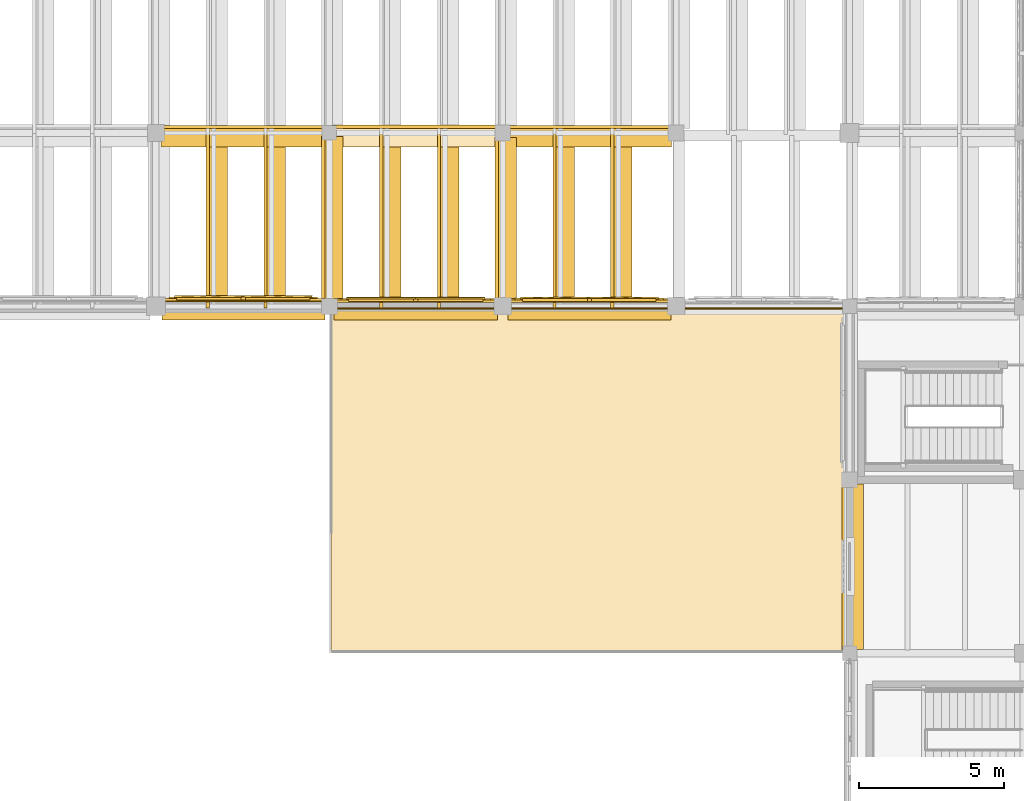
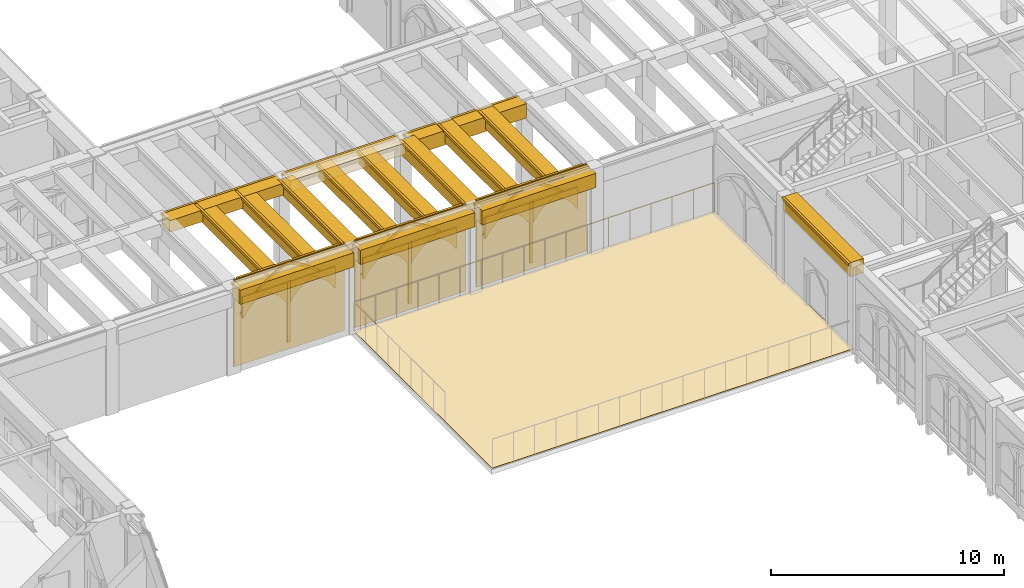
# One storey, part 101 of 127: 49 coverings, 1 railing.
"""IFC4 building model written with IfcOpenShell, lengths in metres."""

from ifc_helpers import new_model, si_unit, direction, frame, origin, origin_2d, place, context, subcontext, project, spatial, polyline, rectangle, circle, outline, extrude, material, type_object, element, save


model = new_model("IFC4")

# Units and contexts
model_context = context("Model", 3, precision=1e-05, world=origin(), true_north=direction((0.0, 1.0)))
body_context = subcontext(model_context, "Body", "Model", "MODEL_VIEW")
ifc_project = project(units=[si_unit("LENGTHUNIT", "METRE"), si_unit("AREAUNIT", "SQUARE_METRE"), si_unit("VOLUMEUNIT", "CUBIC_METRE"), si_unit("PLANEANGLEUNIT", "RADIAN"), si_unit("MASSUNIT", "GRAM", prefix="KILO")], contexts=[model_context])

# Site, building, storey
site_placement = place(None, origin())
site = spatial("IfcSite", under=ifc_project, at=site_placement, CompositionType="ELEMENT")
building_placement = place(site_placement, origin())
building = spatial("IfcBuilding", under=site, at=building_placement, Name="Cumevento Cable Car Station", CompositionType="ELEMENT")
storey_placement = place(building_placement, frame((0.0, 0.0, 4.5)))
storey = spatial("IfcBuildingStorey", under=building, at=storey_placement, Name="L02", CompositionType="ELEMENT", Elevation=4.5)

# Railing
ifc_material_1 = material(Name="Painted Galvanised Architectural Steel", Category="steel")
railing_type = type_object("IfcRailingType", Name="Terrace Guardrail GR-T155 1550", PredefinedType="GUARDRAIL", material=ifc_material_1)
railing_placement = place(storey_placement, frame((40.080078125, 44.919921875, 0.0)))
element("IfcRailing", 1, at=railing_placement, inside=storey, type_object=railing_type, Name="Panoramic Terrace Guardrail GR-T155 #11", PredefinedType="GUARDRAIL", context=body_context, shape_type="SweptSolid", body=[
    extrude(circle(Radius=0.02685546875, at=origin_2d()), frame((0.0, 0.0, 1.52294921875), z_axis=(1.0, 0.0, 0.0), x_axis=(0.0, 1.0, 0.0)), (0.0, 0.0, 1.0), 17.83984375),
    extrude(circle(Radius=0.02099609375, at=origin_2d()), origin(), (0.0, 0.0, 1.0), 1.49609375),
    extrude(circle(Radius=0.02099609375, at=origin_2d()), frame((1.04931640625, 0.0, 0.0)), (0.0, 0.0, 1.0), 1.49609375),
    extrude(circle(Radius=0.02099609375, at=origin_2d()), frame((2.098876953125, 0.0, 0.0)), (0.0, 0.0, 1.0), 1.49609375),
    extrude(circle(Radius=0.02099609375, at=origin_2d()), frame((3.148193359375, 0.0, 0.0)), (0.0, 0.0, 1.0), 1.49609375),
    extrude(circle(Radius=0.02099609375, at=origin_2d()), frame((4.197509765625, 0.0, 0.0)), (0.0, 0.0, 1.0), 1.49609375),
    extrude(circle(Radius=0.02099609375, at=origin_2d()), frame((5.2470703125, 0.0, 0.0)), (0.0, 0.0, 1.0), 1.49609375),
    extrude(circle(Radius=0.02099609375, at=origin_2d()), frame((6.29638671875, 0.0, 0.0)), (0.0, 0.0, 1.0), 1.49609375),
    extrude(circle(Radius=0.02099609375, at=origin_2d()), frame((7.345703125, 0.0, 0.0)), (0.0, 0.0, 1.0), 1.49609375),
    extrude(circle(Radius=0.02099609375, at=origin_2d()), frame((8.395263671875, 0.0, 0.0)), (0.0, 0.0, 1.0), 1.49609375),
    extrude(circle(Radius=0.02099609375, at=origin_2d()), frame((9.444580078125, 0.0, 0.0)), (0.0, 0.0, 1.0), 1.49609375),
    extrude(circle(Radius=0.02099609375, at=origin_2d()), frame((10.494140625, 0.0, 0.0)), (0.0, 0.0, 1.0), 1.49609375),
    extrude(circle(Radius=0.02099609375, at=origin_2d()), frame((11.54345703125, 0.0, 0.0)), (0.0, 0.0, 1.0), 1.49609375),
    extrude(circle(Radius=0.02099609375, at=origin_2d()), frame((12.5927734375, 0.0, 0.0)), (0.0, 0.0, 1.0), 1.49609375),
    extrude(circle(Radius=0.02099609375, at=origin_2d()), frame((13.642333984375, 0.0, 0.0)), (0.0, 0.0, 1.0), 1.49609375),
    extrude(circle(Radius=0.02099609375, at=origin_2d()), frame((14.691650390625, 0.0, 0.0)), (0.0, 0.0, 1.0), 1.49609375),
    extrude(circle(Radius=0.02099609375, at=origin_2d()), frame((15.740966796875, 0.0, 0.0)), (0.0, 0.0, 1.0), 1.49609375),
    extrude(circle(Radius=0.02099609375, at=origin_2d()), frame((16.79052734375, 0.0, 0.0)), (0.0, 0.0, 1.0), 1.49609375),
    extrude(circle(Radius=0.02099609375, at=origin_2d()), frame((17.83984375, 0.0, 0.0)), (0.0, 0.0, 1.0), 1.49609375),
])

# Coverings
ifc_material_2 = material(Name="Gnaisse Facoidal Stone Ashlar 85 MPa", Category="masonry")
covering_type = type_object("IfcCoveringType", Name="Gnaisse Ashlar Cladding CV-CL01", PredefinedType="CLADDING", material=ifc_material_2)
covering_1_placement = place(storey_placement, frame((58.14990234375, 35.987548828125, 3.760986328125), z_axis=(0.0, 0.0, 1.0), x_axis=(0.0, 1.0, 0.0)))
element("IfcCovering", 2, at=covering_1_placement, inside=storey, type_object=covering_type, Name="Gothic Stone Spandrel Stringcourse sc:0323", PredefinedType="CLADDING", context=body_context, shape_type="SweptSolid", body=[
    extrude(rectangle(XDim=5.715087890625, YDim=0.659912109375, at=origin_2d()), origin(), (0.0, 0.0, 1.0), 0.7470703125),
])
covering_2_placement = place(storey_placement, frame((57.79248046875, 35.987548828125, 4.378173828125), z_axis=(0.0, 0.0, 1.0), x_axis=(0.0, 1.0, 0.0)))
element("IfcCovering", 3, at=covering_2_placement, inside=storey, type_object=covering_type, Name="Gothic Cornice Dripstone Lip sc:0323", PredefinedType="CLADDING", context=body_context, shape_type="SweptSolid", body=[
    extrude(rectangle(XDim=5.7548828125, YDim=0.114990234375, at=origin_2d()), origin(), (0.0, 0.0, 1.0), 0.1298828125),
])
covering_3_placement = place(storey_placement, frame((37.02490234375, 44.85009765625, 3.682861328125), z_axis=(0.0, 0.0, 1.0), x_axis=(1.0, 0.0, 0.0)))
element("IfcCovering", 4, at=covering_3_placement, inside=storey, type_object=covering_type, Name="Gothic Stone Spandrel Stringcourse sc:0352", PredefinedType="CLADDING", context=body_context, shape_type="SweptSolid", body=[
    extrude(rectangle(XDim=5.639892578125, YDim=0.659912109375, at=origin_2d()), origin(), (0.0, 0.0, 1.0), 0.7470703125),
])
covering_4_placement = place(storey_placement, frame((37.02490234375, 45.20751953125, 4.300048828125), z_axis=(0.0, 0.0, 1.0), x_axis=(1.0, 0.0, 0.0)))
element("IfcCovering", 5, at=covering_4_placement, inside=storey, type_object=covering_type, Name="Gothic Cornice Dripstone Lip sc:0352", PredefinedType="CLADDING", context=body_context, shape_type="SweptSolid", body=[
    extrude(rectangle(XDim=5.679931640625, YDim=0.114990234375, at=origin_2d()), origin(), (0.0, 0.0, 1.0), 0.1298828125),
])
covering_5_placement = place(storey_placement, frame((42.987548828125, 44.85009765625, 3.682861328125), z_axis=(0.0, 0.0, 1.0), x_axis=(1.0, 0.0, 0.0)))
element("IfcCovering", 6, at=covering_5_placement, inside=storey, type_object=covering_type, Name="Gothic Stone Spandrel Stringcourse sc:0353", PredefinedType="CLADDING", context=body_context, shape_type="SweptSolid", body=[
    extrude(rectangle(XDim=5.6650390625, YDim=0.659912109375, at=origin_2d()), origin(), (0.0, 0.0, 1.0), 0.7470703125),
])
covering_6_placement = place(storey_placement, frame((42.987548828125, 45.20751953125, 4.300048828125), z_axis=(0.0, 0.0, 1.0), x_axis=(1.0, 0.0, 0.0)))
element("IfcCovering", 7, at=covering_6_placement, inside=storey, type_object=covering_type, Name="Gothic Cornice Dripstone Lip sc:0353", PredefinedType="CLADDING", context=body_context, shape_type="SweptSolid", body=[
    extrude(rectangle(XDim=5.705078125, YDim=0.114990234375, at=origin_2d()), origin(), (0.0, 0.0, 1.0), 0.1298828125),
])
covering_7_placement = place(storey_placement, frame((49.0, 44.85009765625, 3.64306640625), z_axis=(0.0, 0.0, 1.0), x_axis=(1.0, 0.0, 0.0)))
element("IfcCovering", 8, at=covering_7_placement, inside=storey, type_object=covering_type, Name="Gothic Stone Spandrel Stringcourse sc:0354", PredefinedType="CLADDING", context=body_context, shape_type="SweptSolid", body=[
    extrude(rectangle(XDim=5.639892578125, YDim=0.659912109375, at=origin_2d()), origin(), (0.0, 0.0, 1.0), 0.7470703125),
])
covering_8_placement = place(storey_placement, frame((49.0, 45.20751953125, 4.260009765625), z_axis=(0.0, 0.0, 1.0), x_axis=(1.0, 0.0, 0.0)))
element("IfcCovering", 9, at=covering_8_placement, inside=storey, type_object=covering_type, Name="Gothic Cornice Dripstone Lip sc:0354", PredefinedType="CLADDING", context=body_context, shape_type="SweptSolid", body=[
    extrude(rectangle(XDim=5.679931640625, YDim=0.114990234375, at=origin_2d()), origin(), (0.0, 0.0, 1.0), 0.1298828125),
])
covering_9_placement = place(storey_placement, frame((37.02490234375, 50.85009765625, 3.823974609375), z_axis=(0.0, 0.0, 1.0), x_axis=(1.0, 0.0, 0.0)))
element("IfcCovering", 10, at=covering_9_placement, inside=storey, type_object=covering_type, Name="Gothic Stone Spandrel Stringcourse sc:0357", PredefinedType="CLADDING", context=body_context, shape_type="SweptSolid", body=[
    extrude(rectangle(XDim=5.68994140625, YDim=0.659912109375, at=origin_2d()), origin(), (0.0, 0.0, 1.0), 0.60595703125),
])
covering_10_placement = place(storey_placement, frame((37.02490234375, 51.20751953125, 4.300048828125), z_axis=(0.0, 0.0, 1.0), x_axis=(1.0, 0.0, 0.0)))
element("IfcCovering", 11, at=covering_10_placement, inside=storey, type_object=covering_type, Name="Gothic Cornice Dripstone Lip sc:0357", PredefinedType="CLADDING", context=body_context, shape_type="SweptSolid", body=[
    extrude(rectangle(XDim=5.72998046875, YDim=0.114990234375, at=origin_2d()), origin(), (0.0, 0.0, 1.0), 0.1298828125),
])
covering_11_placement = place(storey_placement, frame((42.987548828125, 50.850830078125, 3.837890625), z_axis=(0.0, 0.0, 1.0), x_axis=(1.0, 0.0, 0.0)))
element("IfcCovering", 12, at=covering_11_placement, inside=storey, type_object=covering_type, Name="Gothic Stone Spandrel Stringcourse sc:0358", PredefinedType="CLADDING", context=body_context, shape_type="SweptSolid", body=[
    extrude(rectangle(XDim=5.715087890625, YDim=0.66162109375, at=origin_2d()), origin(), (0.0, 0.0, 1.0), 0.592041015625),
])
covering_12_placement = place(storey_placement, frame((42.987548828125, 51.208984375, 4.300048828125), z_axis=(0.0, 0.0, 1.0), x_axis=(1.0, 0.0, 0.0)))
element("IfcCovering", 13, at=covering_12_placement, inside=storey, type_object=covering_type, Name="Gothic Cornice Dripstone Lip sc:0358", PredefinedType="CLADDING", context=body_context, shape_type="SweptSolid", body=[
    extrude(rectangle(XDim=5.7548828125, YDim=0.114990234375, at=origin_2d()), origin(), (0.0, 0.0, 1.0), 0.1298828125),
])
covering_13_placement = place(storey_placement, frame((49.0, 50.85009765625, 3.636962890625), z_axis=(0.0, 0.0, 1.0), x_axis=(1.0, 0.0, 0.0)))
element("IfcCovering", 14, at=covering_13_placement, inside=storey, type_object=covering_type, Name="Gothic Stone Spandrel Stringcourse sc:0359", PredefinedType="CLADDING", context=body_context, shape_type="SweptSolid", body=[
    extrude(rectangle(XDim=5.68994140625, YDim=0.659912109375, at=origin_2d()), origin(), (0.0, 0.0, 1.0), 0.7529296875),
])
covering_14_placement = place(storey_placement, frame((49.0, 51.20751953125, 4.260009765625), z_axis=(0.0, 0.0, 1.0), x_axis=(1.0, 0.0, 0.0)))
element("IfcCovering", 15, at=covering_14_placement, inside=storey, type_object=covering_type, Name="Gothic Cornice Dripstone Lip sc:0359", PredefinedType="CLADDING", context=body_context, shape_type="SweptSolid", body=[
    extrude(rectangle(XDim=5.72998046875, YDim=0.114990234375, at=origin_2d()), origin(), (0.0, 0.0, 1.0), 0.1298828125),
])
covering_15_placement = place(storey_placement, frame((40.148681640625, 48.012451171875, 3.73583984375), z_axis=(0.0, 0.0, 1.0), x_axis=(0.0, 1.0, 0.0)))
element("IfcCovering", 16, at=covering_15_placement, inside=storey, type_object=covering_type, Name="Gothic Stone Spandrel Stringcourse sc:0371", PredefinedType="CLADDING", context=body_context, shape_type="SweptSolid", body=[
    extrude(rectangle(XDim=5.715087890625, YDim=0.66259765625, at=origin_2d()), origin(), (0.0, 0.0, 1.0), 0.694091796875),
])
covering_16_placement = place(storey_placement, frame((39.7900390625, 48.012451171875, 4.300048828125), z_axis=(0.0, 0.0, 1.0), x_axis=(0.0, 1.0, 0.0)))
element("IfcCovering", 17, at=covering_16_placement, inside=storey, type_object=covering_type, Name="Gothic Cornice Dripstone Lip sc:0371", PredefinedType="CLADDING", context=body_context, shape_type="SweptSolid", body=[
    extrude(rectangle(XDim=5.7548828125, YDim=0.114990234375, at=origin_2d()), origin(), (0.0, 0.0, 1.0), 0.1298828125),
])
covering_17_placement = place(storey_placement, frame((46.14990234375, 48.012451171875, 3.6328125), z_axis=(0.0, 0.0, 1.0), x_axis=(0.0, 1.0, 0.0)))
element("IfcCovering", 18, at=covering_17_placement, inside=storey, type_object=covering_type, Name="Gothic Stone Spandrel Stringcourse sc:0373", PredefinedType="CLADDING", context=body_context, shape_type="SweptSolid", body=[
    extrude(rectangle(XDim=5.6650390625, YDim=0.659912109375, at=origin_2d()), origin(), (0.0, 0.0, 1.0), 0.797119140625),
])
covering_18_placement = place(storey_placement, frame((45.79248046875, 48.012451171875, 4.300048828125), z_axis=(0.0, 0.0, 1.0), x_axis=(0.0, 1.0, 0.0)))
element("IfcCovering", 19, at=covering_18_placement, inside=storey, type_object=covering_type, Name="Gothic Cornice Dripstone Lip sc:0373", PredefinedType="CLADDING", context=body_context, shape_type="SweptSolid", body=[
    extrude(rectangle(XDim=5.705078125, YDim=0.114990234375, at=origin_2d()), origin(), (0.0, 0.0, 1.0), 0.1298828125),
])
covering_19_placement = place(storey_placement, frame((36.14990234375, 48.007568359375, 3.73486328125), z_axis=(0.0, 0.0, 1.0), x_axis=(0.0, 1.0, 0.0)))
element("IfcCovering", 20, at=covering_19_placement, inside=storey, type_object=covering_type, Name="Gothic Stone Spandrel Stringcourse sc:0500", PredefinedType="CLADDING", context=body_context, shape_type="SweptSolid", body=[
    extrude(rectangle(XDim=6.10107421875, YDim=0.659912109375, at=origin_2d()), origin(), (0.0, 0.0, 1.0), 0.695068359375),
])
covering_20_placement = place(storey_placement, frame((35.79248046875, 48.007568359375, 4.300048828125), z_axis=(0.0, 0.0, 1.0), x_axis=(0.0, 1.0, 0.0)))
element("IfcCovering", 21, at=covering_20_placement, inside=storey, type_object=covering_type, Name="Gothic Cornice Dripstone Lip sc:0500", PredefinedType="CLADDING", context=body_context, shape_type="SweptSolid", body=[
    extrude(rectangle(XDim=6.14111328125, YDim=0.114990234375, at=origin_2d()), origin(), (0.0, 0.0, 1.0), 0.1298828125),
])
covering_21_placement = place(storey_placement, frame((38.14990234375, 48.007568359375, 3.73486328125), z_axis=(0.0, 0.0, 1.0), x_axis=(0.0, 1.0, 0.0)))
element("IfcCovering", 22, at=covering_21_placement, inside=storey, type_object=covering_type, Name="Gothic Stone Spandrel Stringcourse sc:0502", PredefinedType="CLADDING", context=body_context, shape_type="SweptSolid", body=[
    extrude(rectangle(XDim=6.10107421875, YDim=0.659912109375, at=origin_2d()), origin(), (0.0, 0.0, 1.0), 0.695068359375),
])
covering_22_placement = place(storey_placement, frame((37.79248046875, 48.007568359375, 4.300048828125), z_axis=(0.0, 0.0, 1.0), x_axis=(0.0, 1.0, 0.0)))
element("IfcCovering", 23, at=covering_22_placement, inside=storey, type_object=covering_type, Name="Gothic Cornice Dripstone Lip sc:0502", PredefinedType="CLADDING", context=body_context, shape_type="SweptSolid", body=[
    extrude(rectangle(XDim=6.14111328125, YDim=0.114990234375, at=origin_2d()), origin(), (0.0, 0.0, 1.0), 0.1298828125),
])
covering_23_placement = place(storey_placement, frame((42.14990234375, 47.99365234375, 3.73486328125), z_axis=(0.0, 0.0, 1.0), x_axis=(0.0, 1.0, 0.0)))
element("IfcCovering", 24, at=covering_23_placement, inside=storey, type_object=covering_type, Name="Gothic Stone Spandrel Stringcourse sc:0504", PredefinedType="CLADDING", context=body_context, shape_type="SweptSolid", body=[
    extrude(rectangle(XDim=6.073486328125, YDim=0.659912109375, at=origin_2d()), origin(), (0.0, 0.0, 1.0), 0.695068359375),
])
covering_24_placement = place(storey_placement, frame((41.79248046875, 47.99365234375, 4.300048828125), z_axis=(0.0, 0.0, 1.0), x_axis=(0.0, 1.0, 0.0)))
element("IfcCovering", 25, at=covering_24_placement, inside=storey, type_object=covering_type, Name="Gothic Cornice Dripstone Lip sc:0504", PredefinedType="CLADDING", context=body_context, shape_type="SweptSolid", body=[
    extrude(rectangle(XDim=6.113525390625, YDim=0.114990234375, at=origin_2d()), origin(), (0.0, 0.0, 1.0), 0.1298828125),
])
covering_25_placement = place(storey_placement, frame((44.14990234375, 47.99365234375, 3.73486328125), z_axis=(0.0, 0.0, 1.0), x_axis=(0.0, 1.0, 0.0)))
element("IfcCovering", 26, at=covering_25_placement, inside=storey, type_object=covering_type, Name="Gothic Stone Spandrel Stringcourse sc:0506", PredefinedType="CLADDING", context=body_context, shape_type="SweptSolid", body=[
    extrude(rectangle(XDim=6.073486328125, YDim=0.659912109375, at=origin_2d()), origin(), (0.0, 0.0, 1.0), 0.695068359375),
])
covering_26_placement = place(storey_placement, frame((43.79248046875, 47.99365234375, 4.300048828125), z_axis=(0.0, 0.0, 1.0), x_axis=(0.0, 1.0, 0.0)))
element("IfcCovering", 27, at=covering_26_placement, inside=storey, type_object=covering_type, Name="Gothic Cornice Dripstone Lip sc:0506", PredefinedType="CLADDING", context=body_context, shape_type="SweptSolid", body=[
    extrude(rectangle(XDim=6.113525390625, YDim=0.114990234375, at=origin_2d()), origin(), (0.0, 0.0, 1.0), 0.1298828125),
])
covering_27_placement = place(storey_placement, frame((48.14990234375, 47.99951171875, 3.73486328125), z_axis=(0.0, 0.0, 1.0), x_axis=(0.0, 1.0, 0.0)))
element("IfcCovering", 28, at=covering_27_placement, inside=storey, type_object=covering_type, Name="Gothic Stone Spandrel Stringcourse sc:0508", PredefinedType="CLADDING", context=body_context, shape_type="SweptSolid", body=[
    extrude(rectangle(XDim=6.0849609375, YDim=0.659912109375, at=origin_2d()), origin(), (0.0, 0.0, 1.0), 0.695068359375),
])
covering_28_placement = place(storey_placement, frame((47.79248046875, 47.99951171875, 4.300048828125), z_axis=(0.0, 0.0, 1.0), x_axis=(0.0, 1.0, 0.0)))
element("IfcCovering", 29, at=covering_28_placement, inside=storey, type_object=covering_type, Name="Gothic Cornice Dripstone Lip sc:0508", PredefinedType="CLADDING", context=body_context, shape_type="SweptSolid", body=[
    extrude(rectangle(XDim=6.125, YDim=0.114990234375, at=origin_2d()), origin(), (0.0, 0.0, 1.0), 0.1298828125),
])
covering_29_placement = place(storey_placement, frame((50.14990234375, 47.99951171875, 3.73486328125), z_axis=(0.0, 0.0, 1.0), x_axis=(0.0, 1.0, 0.0)))
element("IfcCovering", 30, at=covering_29_placement, inside=storey, type_object=covering_type, Name="Gothic Stone Spandrel Stringcourse sc:0510", PredefinedType="CLADDING", context=body_context, shape_type="SweptSolid", body=[
    extrude(rectangle(XDim=6.0849609375, YDim=0.659912109375, at=origin_2d()), origin(), (0.0, 0.0, 1.0), 0.695068359375),
])
covering_30_placement = place(storey_placement, frame((49.79248046875, 47.99951171875, 4.300048828125), z_axis=(0.0, 0.0, 1.0), x_axis=(0.0, 1.0, 0.0)))
element("IfcCovering", 31, at=covering_30_placement, inside=storey, type_object=covering_type, Name="Gothic Cornice Dripstone Lip sc:0510", PredefinedType="CLADDING", context=body_context, shape_type="SweptSolid", body=[
    extrude(rectangle(XDim=6.125, YDim=0.114990234375, at=origin_2d()), origin(), (0.0, 0.0, 1.0), 0.1298828125),
])
covering_31_placement = place(storey_placement, frame((34.324951171875, 45.0, 0.0), z_axis=(0.0, 0.0, 1.0), x_axis=(1.0, 0.0, 0.0)))
element("IfcCovering", 32, at=covering_31_placement, inside=storey, type_object=covering_type, Name="Exterior Gnaisse Stone Wall Ashlar #23", PredefinedType="CLADDING", context=body_context, shape_type="SweptSolid", body=[
    extrude(outline(polyline([(-0.0400390625, -0.02001953125), (5.43994140625, -0.02001953125), (5.43994140625, 4.52001953125), (-0.0400390625, 4.52001953125), (-0.0400390625, -0.02001953125)])), frame((0.0, 0.27490234375, 0.0), z_axis=(0.0, -1.0, 0.0), x_axis=(1.0, 0.0, 0.0)), (0.0, 0.0, 1.0), 0.0849609375),
])
placement_1 = place(storey_placement, frame((34.5048828125, 45.0, 0.300048828125), z_axis=(0.0, 0.0, 1.0), x_axis=(1.0, 0.0, 0.0)))
element("IfcCovering", 33, at=placement_1, inside=storey, type_object=covering_type, Name="Gothic Ogival Pointed-Arch Stone Spandrel blind_ogival:0023", PredefinedType="CLADDING", context=body_context, shape_type="SweptSolid", body=[
    extrude(outline(polyline([(-0.050048828125, 0.0), (-0.050048828125, 4.239990234375), (5.090087890625, 4.239990234375), (5.090087890625, 0.0), (4.780029296875, 0.0), (4.780029296875, 2.219970703125), (4.531982421875, 2.55810546875), (4.255126953125, 2.872802734375), (3.951416015625, 3.161865234375), (3.62353515625, 3.423095703125), (3.273681640625, 3.654296875), (2.905029296875, 3.853759765625), (2.52001953125, 4.02001953125), (2.135009765625, 3.853759765625), (1.766357421875, 3.654296875), (1.41650390625, 3.423095703125), (1.088623046875, 3.161865234375), (0.784912109375, 2.872802734375), (0.508056640625, 2.55810546875), (0.260009765625, 2.219970703125), (0.260009765625, 0.0), (-0.050048828125, 0.0)])), frame((0.0, 0.330078125, 0.0), z_axis=(0.0, -1.0, 0.0), x_axis=(1.0, 0.0, 0.0)), (0.0, 0.0, 1.0), 0.110107421875),
])
covering_33_placement = place(storey_placement, frame((34.5048828125, 45.0, 2.52001953125), z_axis=(0.0, 0.0, 1.0), x_axis=(1.0, 0.0, 0.0)))
element("IfcCovering", 34, at=covering_33_placement, inside=storey, type_object=covering_type, Name="Gothic Pointed Archivolt Hood Moulding blind_ogival:0023", PredefinedType="CLADDING", context=body_context, shape_type="SweptSolid", body=[
    extrude(outline(polyline([(0.260009765625, 0.0), (0.508056640625, 0.338134765625), (0.784912109375, 0.65283203125), (1.088623046875, 0.94189453125), (1.41650390625, 1.203125), (1.766357421875, 1.434326171875), (2.135009765625, 1.6337890625), (2.52001953125, 1.800048828125), (2.905029296875, 1.6337890625), (3.273681640625, 1.434326171875), (3.62353515625, 1.203125), (3.951416015625, 0.94189453125), (4.255126953125, 0.65283203125), (4.531982421875, 0.338134765625), (4.780029296875, 0.0), (4.90087890625, 0.0), (4.6435546875, 0.365478515625), (4.354248046875, 0.706298828125), (4.03564453125, 1.01953125), (3.689697265625, 1.302978515625), (3.31982421875, 1.553955078125), (2.928955078125, 1.770751953125), (2.52001953125, 1.951171875), (2.111083984375, 1.770751953125), (1.72021484375, 1.553955078125), (1.350341796875, 1.302978515625), (1.00439453125, 1.01953125), (0.685791015625, 0.706298828125), (0.396484375, 0.365478515625), (0.138916015625, 0.0), (0.260009765625, 0.0)])), frame((0.0, 0.3720703125, 0.0), z_axis=(0.0, -1.0, 0.0), x_axis=(1.0, 0.0, 0.0)), (0.0, 0.0, 1.0), 0.06689453125),
])
element("IfcCovering", 35, at=placement_1, inside=storey, type_object=covering_type, Name="Gothic Bifora Stone Colonnette blind_ogival:0023 #1", PredefinedType="CLADDING", context=body_context, shape_type="SweptSolid", body=[
    extrude(outline(polyline([(2.445068359375, -0.02001953125), (2.594970703125, -0.02001953125), (2.594970703125, 3.156005859375), (2.445068359375, 3.156005859375), (2.445068359375, -0.02001953125)])), frame((0.0, 0.318115234375, 0.0), z_axis=(0.0, -1.0, 0.0), x_axis=(1.0, 0.0, 0.0)), (0.0, 0.0, 1.0), 0.094970703125),
])
for number, where, z_axis, x_axis, name in (
    (36, (34.735107421875, 45.0, 2.340087890625), (0.0, 0.0, 1.0), (1.0, 0.0, 0.0), "Gothic Ogival Pointed-Arch Stone Spandrel blind_ogival:0023:sub:0"),
    (37, (37.070068359375, 45.0, 2.340087890625), (0.0, 0.0, 1.0), (1.0, 0.0, 0.0), "Gothic Ogival Pointed-Arch Stone Spandrel blind_ogival:0023:sub:1"),
):
    element("IfcCovering", number, at=place(storey_placement, frame(where, z_axis=z_axis, x_axis=x_axis)), inside=storey, type_object=covering_type, Name=name, PredefinedType="CLADDING", context=body_context, shape_type="SweptSolid", body=[
        extrude(outline(polyline([(-0.02001953125, 0.0), (-0.02001953125, 1.115966796875), (2.264892578125, 1.115966796875), (2.264892578125, 0.0), (2.205078125, 0.0), (2.076171875, 0.214111328125), (1.923828125, 0.412109375), (1.75, 0.591552734375), (1.556640625, 0.75), (1.3466796875, 0.88525390625), (1.12255859375, 0.99609375), (0.8984375, 0.88525390625), (0.6884765625, 0.75), (0.4951171875, 0.591552734375), (0.3212890625, 0.412109375), (0.1689453125, 0.214111328125), (0.0400390625, 0.0), (-0.02001953125, 0.0)])), frame((0.0, 0.31396484375, 0.0), z_axis=(0.0, -1.0, 0.0), x_axis=(1.0, 0.0, 0.0)), (0.0, 0.0, 1.0), 0.090087890625),
    ])
covering_35_placement = place(storey_placement, frame((40.27490234375, 45.0, 0.0), z_axis=(0.0, 0.0, 1.0), x_axis=(1.0, 0.0, 0.0)))
element("IfcCovering", 38, at=covering_35_placement, inside=storey, type_object=covering_type, Name="Exterior Gnaisse Stone Wall Ashlar #24", PredefinedType="CLADDING", context=body_context, shape_type="SweptSolid", body=[
    extrude(outline(polyline([(-0.0400390625, -0.02001953125), (5.465087890625, -0.02001953125), (5.465087890625, 4.52001953125), (-0.0400390625, 4.52001953125), (-0.0400390625, -0.02001953125)])), frame((0.0, 0.215087890625, 0.0), z_axis=(0.0, -1.0, 0.0), x_axis=(1.0, 0.0, 0.0)), (0.0, 0.0, 1.0), 0.0849609375),
])
placement_2 = place(storey_placement, frame((40.455078125, 45.0, 0.300048828125), z_axis=(0.0, 0.0, 1.0), x_axis=(1.0, 0.0, 0.0)))
element("IfcCovering", 39, at=placement_2, inside=storey, type_object=covering_type, Name="Gothic Ogival Pointed-Arch Stone Spandrel blind_ogival:0024", PredefinedType="CLADDING", context=body_context, shape_type="SweptSolid", body=[
    extrude(outline(polyline([(-0.050048828125, 0.0), (-0.050048828125, 4.239990234375), (5.114990234375, 4.239990234375), (5.114990234375, 0.0), (4.804931640625, 0.0), (4.804931640625, 2.219970703125), (4.554931640625, 2.55810546875), (4.27587890625, 2.873046875), (3.970458984375, 3.162109375), (3.640625, 3.42333984375), (3.289306640625, 3.654541015625), (2.9189453125, 3.85400390625), (2.532470703125, 4.02001953125), (2.14599609375, 3.85400390625), (1.775634765625, 3.654541015625), (1.42431640625, 3.42333984375), (1.094482421875, 3.162109375), (0.7890625, 2.873046875), (0.510009765625, 2.55810546875), (0.260009765625, 2.219970703125), (0.260009765625, 0.0), (-0.050048828125, 0.0)])), frame((0.0, 0.27001953125, 0.0), z_axis=(0.0, -1.0, 0.0), x_axis=(1.0, 0.0, 0.0)), (0.0, 0.0, 1.0), 0.110107421875),
])
covering_37_placement = place(storey_placement, frame((40.455078125, 45.0, 2.52001953125), z_axis=(0.0, 0.0, 1.0), x_axis=(1.0, 0.0, 0.0)))
element("IfcCovering", 40, at=covering_37_placement, inside=storey, type_object=covering_type, Name="Gothic Pointed Archivolt Hood Moulding blind_ogival:0024", PredefinedType="CLADDING", context=body_context, shape_type="SweptSolid", body=[
    extrude(outline(polyline([(0.260009765625, 0.0), (0.510009765625, 0.338134765625), (0.7890625, 0.653076171875), (1.094482421875, 0.942138671875), (1.42431640625, 1.203369140625), (1.775634765625, 1.4345703125), (2.14599609375, 1.634033203125), (2.532470703125, 1.800048828125), (2.9189453125, 1.634033203125), (3.289306640625, 1.4345703125), (3.640625, 1.203369140625), (3.970458984375, 0.942138671875), (4.27587890625, 0.653076171875), (4.554931640625, 0.338134765625), (4.804931640625, 0.0), (4.926025390625, 0.0), (4.66650390625, 0.36572265625), (4.375244140625, 0.70654296875), (4.054443359375, 1.019775390625), (3.70703125, 1.30322265625), (3.33544921875, 1.55419921875), (2.94287109375, 1.770751953125), (2.532470703125, 1.951171875), (2.1220703125, 1.770751953125), (1.7294921875, 1.55419921875), (1.35791015625, 1.30322265625), (1.010498046875, 1.019775390625), (0.689697265625, 0.70654296875), (0.3984375, 0.36572265625), (0.138916015625, 0.0), (0.260009765625, 0.0)])), frame((0.0, 0.31201171875, 0.0), z_axis=(0.0, -1.0, 0.0), x_axis=(1.0, 0.0, 0.0)), (0.0, 0.0, 1.0), 0.06689453125),
])
element("IfcCovering", 41, at=placement_2, inside=storey, type_object=covering_type, Name="Gothic Bifora Stone Colonnette blind_ogival:0024 #1", PredefinedType="CLADDING", context=body_context, shape_type="SweptSolid", body=[
    extrude(outline(polyline([(2.45751953125, -0.02001953125), (2.607421875, -0.02001953125), (2.607421875, 3.156005859375), (2.45751953125, 3.156005859375), (2.45751953125, -0.02001953125)])), frame((0.0, 0.258056640625, 0.0), z_axis=(0.0, -1.0, 0.0), x_axis=(1.0, 0.0, 0.0)), (0.0, 0.0, 1.0), 0.094970703125),
])
for number, where, z_axis, x_axis, name in (
    (42, (40.68505859375, 45.0, 2.340087890625), (0.0, 0.0, 1.0), (1.0, 0.0, 0.0), "Gothic Ogival Pointed-Arch Stone Spandrel blind_ogival:0024:sub:0"),
    (43, (43.032470703125, 45.0, 2.340087890625), (0.0, 0.0, 1.0), (1.0, 0.0, 0.0), "Gothic Ogival Pointed-Arch Stone Spandrel blind_ogival:0024:sub:1"),
):
    element("IfcCovering", number, at=place(storey_placement, frame(where, z_axis=z_axis, x_axis=x_axis)), inside=storey, type_object=covering_type, Name=name, PredefinedType="CLADDING", context=body_context, shape_type="SweptSolid", body=[
        extrude(outline(polyline([(-0.02001953125, 0.0), (-0.02001953125, 1.115966796875), (2.277587890625, 1.115966796875), (2.277587890625, 0.0), (2.217529296875, 0.0), (2.08740234375, 0.214111328125), (1.933837890625, 0.412353515625), (1.7587890625, 0.591796875), (1.564697265625, 0.75), (1.353759765625, 0.885498046875), (1.128662109375, 0.99609375), (0.90380859375, 0.885498046875), (0.69287109375, 0.75), (0.498779296875, 0.591796875), (0.32373046875, 0.412353515625), (0.170166015625, 0.214111328125), (0.0400390625, 0.0), (-0.02001953125, 0.0)])), frame((0.0, 0.25390625, 0.0), z_axis=(0.0, -1.0, 0.0), x_axis=(1.0, 0.0, 0.0)), (0.0, 0.0, 1.0), 0.090087890625),
    ])
covering_39_placement = place(storey_placement, frame((46.300048828125, 45.0, 0.0), z_axis=(0.0, 0.0, 1.0), x_axis=(1.0, 0.0, 0.0)))
element("IfcCovering", 44, at=covering_39_placement, inside=storey, type_object=covering_type, Name="Exterior Gnaisse Stone Wall Ashlar #25", PredefinedType="CLADDING", context=body_context, shape_type="SweptSolid", body=[
    extrude(outline(polyline([(-0.0400390625, -0.02001953125), (5.43994140625, -0.02001953125), (5.43994140625, 4.52001953125), (-0.0400390625, 4.52001953125), (-0.0400390625, -0.02001953125)])), frame((0.0, 0.22509765625, 0.0), z_axis=(0.0, -1.0, 0.0), x_axis=(1.0, 0.0, 0.0)), (0.0, 0.0, 1.0), 0.0849609375),
])
placement_3 = place(storey_placement, frame((46.47998046875, 45.0, 0.300048828125), z_axis=(0.0, 0.0, 1.0), x_axis=(1.0, 0.0, 0.0)))
element("IfcCovering", 45, at=placement_3, inside=storey, type_object=covering_type, Name="Gothic Ogival Pointed-Arch Stone Spandrel blind_ogival:0025", PredefinedType="CLADDING", context=body_context, shape_type="SweptSolid", body=[
    extrude(outline(polyline([(-0.050048828125, 0.0), (-0.050048828125, 4.239990234375), (5.090087890625, 4.239990234375), (5.090087890625, 0.0), (4.780029296875, 0.0), (4.780029296875, 2.219970703125), (4.531982421875, 2.55810546875), (4.255126953125, 2.872802734375), (3.951416015625, 3.161865234375), (3.62353515625, 3.423095703125), (3.273681640625, 3.654296875), (2.905029296875, 3.853759765625), (2.52001953125, 4.02001953125), (2.135009765625, 3.853759765625), (1.766357421875, 3.654296875), (1.41650390625, 3.423095703125), (1.088623046875, 3.161865234375), (0.784912109375, 2.872802734375), (0.508056640625, 2.55810546875), (0.260009765625, 2.219970703125), (0.260009765625, 0.0), (-0.050048828125, 0.0)])), frame((0.0, 0.280029296875, 0.0), z_axis=(0.0, -1.0, 0.0), x_axis=(1.0, 0.0, 0.0)), (0.0, 0.0, 1.0), 0.110107421875),
])
covering_41_placement = place(storey_placement, frame((46.47998046875, 45.0, 2.52001953125), z_axis=(0.0, 0.0, 1.0), x_axis=(1.0, 0.0, 0.0)))
element("IfcCovering", 46, at=covering_41_placement, inside=storey, type_object=covering_type, Name="Gothic Pointed Archivolt Hood Moulding blind_ogival:0025", PredefinedType="CLADDING", context=body_context, shape_type="SweptSolid", body=[
    extrude(outline(polyline([(0.260009765625, 0.0), (0.508056640625, 0.338134765625), (0.784912109375, 0.65283203125), (1.088623046875, 0.94189453125), (1.41650390625, 1.203125), (1.766357421875, 1.434326171875), (2.135009765625, 1.6337890625), (2.52001953125, 1.800048828125), (2.905029296875, 1.6337890625), (3.273681640625, 1.434326171875), (3.62353515625, 1.203125), (3.951416015625, 0.94189453125), (4.255126953125, 0.65283203125), (4.531982421875, 0.338134765625), (4.780029296875, 0.0), (4.90087890625, 0.0), (4.6435546875, 0.365478515625), (4.354248046875, 0.706298828125), (4.03564453125, 1.01953125), (3.689697265625, 1.302978515625), (3.31982421875, 1.553955078125), (2.928955078125, 1.770751953125), (2.52001953125, 1.951171875), (2.111083984375, 1.770751953125), (1.72021484375, 1.553955078125), (1.350341796875, 1.302978515625), (1.00439453125, 1.01953125), (0.685791015625, 0.706298828125), (0.396484375, 0.365478515625), (0.138916015625, 0.0), (0.260009765625, 0.0)])), frame((0.0, 0.322021484375, 0.0), z_axis=(0.0, -1.0, 0.0), x_axis=(1.0, 0.0, 0.0)), (0.0, 0.0, 1.0), 0.06689453125),
])
element("IfcCovering", 47, at=placement_3, inside=storey, type_object=covering_type, Name="Gothic Bifora Stone Colonnette blind_ogival:0025 #1", PredefinedType="CLADDING", context=body_context, shape_type="SweptSolid", body=[
    extrude(outline(polyline([(2.445068359375, -0.02001953125), (2.594970703125, -0.02001953125), (2.594970703125, 3.156005859375), (2.445068359375, 3.156005859375), (2.445068359375, -0.02001953125)])), frame((0.0, 0.26806640625, 0.0), z_axis=(0.0, -1.0, 0.0), x_axis=(1.0, 0.0, 0.0)), (0.0, 0.0, 1.0), 0.094970703125),
])
for number, where, z_axis, x_axis, name in (
    (48, (46.7099609375, 45.0, 2.340087890625), (0.0, 0.0, 1.0), (1.0, 0.0, 0.0), "Gothic Ogival Pointed-Arch Stone Spandrel blind_ogival:0025:sub:0"),
    (49, (49.044921875, 45.0, 2.340087890625), (0.0, 0.0, 1.0), (1.0, 0.0, 0.0), "Gothic Ogival Pointed-Arch Stone Spandrel blind_ogival:0025:sub:1"),
):
    element("IfcCovering", number, at=place(storey_placement, frame(where, z_axis=z_axis, x_axis=x_axis)), inside=storey, type_object=covering_type, Name=name, PredefinedType="CLADDING", context=body_context, shape_type="SweptSolid", body=[
        extrude(outline(polyline([(-0.02001953125, 0.0), (-0.02001953125, 1.115966796875), (2.264892578125, 1.115966796875), (2.264892578125, 0.0), (2.205078125, 0.0), (2.076171875, 0.214111328125), (1.923828125, 0.412109375), (1.75, 0.591552734375), (1.556640625, 0.75), (1.3466796875, 0.88525390625), (1.12255859375, 0.99609375), (0.8984375, 0.88525390625), (0.6884765625, 0.75), (0.4951171875, 0.591552734375), (0.3212890625, 0.412109375), (0.1689453125, 0.214111328125), (0.0400390625, 0.0), (-0.02001953125, 0.0)])), frame((0.0, 0.263916015625, 0.0), z_axis=(0.0, -1.0, 0.0), x_axis=(1.0, 0.0, 0.0)), (0.0, 0.0, 1.0), 0.090087890625),
    ])
covering_43_placement = place(storey_placement, frame((0.0, 0.0, -0.0048828125)))
element("IfcCovering", 50, at=covering_43_placement, inside=storey, type_object=covering_type, Name="Gnaisse Stone Terrace Parterre Paving #4.1", PredefinedType="CLADDING", context=body_context, shape_type="SweptSolid", body=[
    extrude(outline(polyline([(40.06005859375, 44.93994140625), (57.93994140625, 44.93994140625), (57.93994140625, 33.06005859375), (40.06005859375, 33.06005859375), (40.06005859375, 44.93994140625)])), origin(), (0.0, 0.0, 1.0), 0.02294921875),
])

save(model, "model.ifc")
